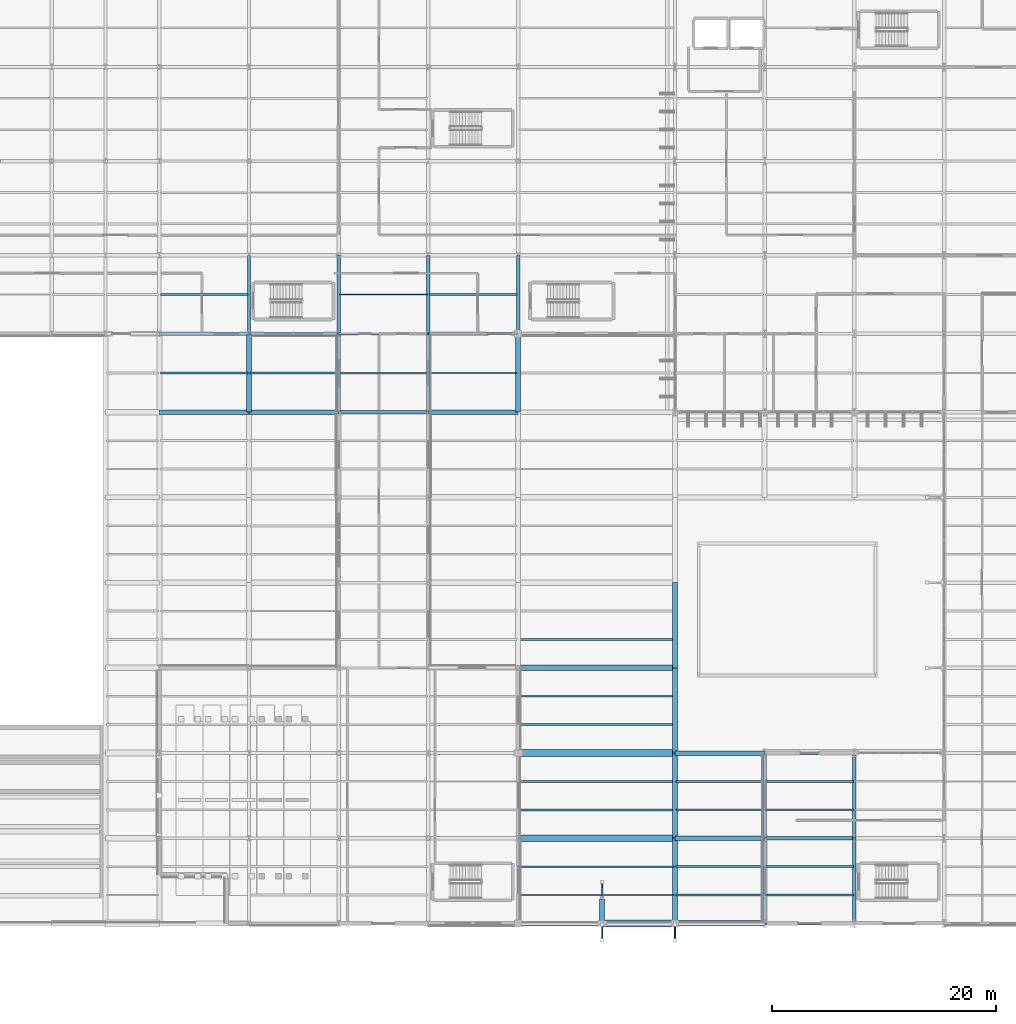
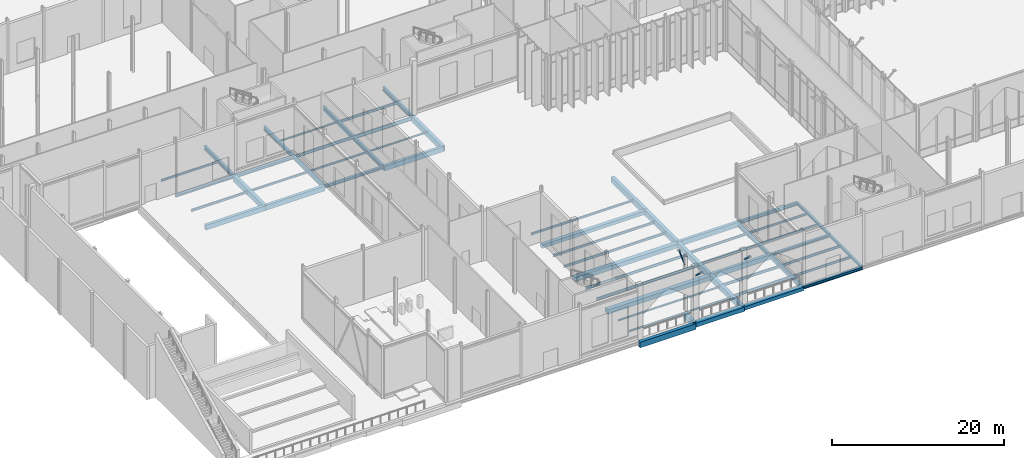
# One storey, part 29 of 176: 58 beams, 3 members.
"""IFC4 building model written with IfcOpenShell, lengths in metres."""

from ifc_helpers import new_model, si_unit, direction, frame, origin, origin_2d, place, context, subcontext, project, spatial, rectangle, hollow_rectangle, i_section, extrude, material, material_profile, profile_set, type_object, element, save


model = new_model("IFC4")

# Units and contexts
model_context = context("Model", 3, precision=1e-05, world=origin(), true_north=direction((0.0, 1.0)))
body_context = subcontext(model_context, "Body", "Model", "MODEL_VIEW")
ifc_project = project(units=[si_unit("LENGTHUNIT", "METRE"), si_unit("AREAUNIT", "SQUARE_METRE"), si_unit("VOLUMEUNIT", "CUBIC_METRE"), si_unit("PLANEANGLEUNIT", "RADIAN"), si_unit("MASSUNIT", "GRAM", prefix="KILO")], contexts=[model_context])

# Site, building, storey
site_placement = place(None, origin())
site = spatial("IfcSite", under=ifc_project, at=site_placement, CompositionType="ELEMENT")
building_placement = place(site_placement, origin())
building = spatial("IfcBuilding", under=site, at=building_placement, Name="Vekula Escarpment Museum", CompositionType="ELEMENT")
storey_placement = place(building_placement, origin())
storey = spatial("IfcBuildingStorey", under=building, at=storey_placement, Name="L01", CompositionType="ELEMENT", Elevation=0.0)

# Beams
ifc_material_1 = material(Name="Steel S355", Category="steel")
ifc_material_profile_1 = material_profile(ifc_material_1, i_section(OverallWidth=0.300048828125, OverallDepth=0.320068359375, WebThickness=0.011474609375, FlangeThickness=0.0205078125, FilletRadius=0.027099609375, at=origin_2d()), Name="HEB 320")
ifc_profile_set_1 = profile_set([ifc_material_profile_1], Name="Steel S355")
beam_type_1 = type_object("IfcBeamType", Name="BM-GIRD-HEB320", PredefinedType="BEAM", material=ifc_profile_set_1)
beam_1_placement = place(storey_placement, frame((24.0, 52.60009765625, -0.4599609375), z_axis=(1.0, 0.0, 0.0), x_axis=(0.0, 1.0, 0.0)))
element("IfcBeam", 1, at=beam_1_placement, inside=storey, type_object=beam_type_1, Name="Beam X L01 0141", PredefinedType="BEAM", context=body_context, shape_type="SweptSolid", body=[
    extrude(i_section(OverallWidth=0.300048828125, OverallDepth=0.320068359375, WebThickness=0.011474609375, FlangeThickness=0.0205078125, FilletRadius=0.027099609375, at=origin_2d()), origin(), (0.0, 0.0, 1.0), 8.0),
])
ifc_material_2 = material(Name="Steel S355", Category="steel")
ifc_material_profile_2 = material_profile(ifc_material_2, i_section(OverallWidth=0.300048828125, OverallDepth=0.360107421875, WebThickness=0.012451171875, FlangeThickness=0.0224609375, FilletRadius=0.027099609375, at=origin_2d()), Name="HEB 360")
ifc_profile_set_2 = profile_set([ifc_material_profile_2], Name="Steel S355")
beam_type_2 = type_object("IfcBeamType", Name="BM-GIRD-HEB360", PredefinedType="BEAM", material=ifc_profile_set_2)
beam_2_placement = place(storey_placement, frame((78.0, 7.60009765625, -0.47998046875), z_axis=(1.0, 0.0, 0.0), x_axis=(0.0, 1.0, 0.0)))
element("IfcBeam", 2, at=beam_2_placement, inside=storey, type_object=beam_type_2, Name="Beam X L01 0037", PredefinedType="BEAM", context=body_context, shape_type="SweptSolid", body=[
    extrude(i_section(OverallWidth=0.300048828125, OverallDepth=0.360107421875, WebThickness=0.012451171875, FlangeThickness=0.0224609375, FilletRadius=0.027099609375, at=origin_2d()), origin(), (0.0, 0.0, 1.0), 8.0),
])
ifc_material_3 = material(Name="Steel S355", Category="steel")
ifc_material_profile_3 = material_profile(ifc_material_3, i_section(OverallWidth=0.300048828125, OverallDepth=0.39990234375, WebThickness=0.013427734375, FlangeThickness=0.02392578125, FilletRadius=0.027099609375, at=origin_2d()), Name="HEB 400")
ifc_profile_set_3 = profile_set([ifc_material_profile_3], Name="Steel S355")
beam_type_3 = type_object("IfcBeamType", Name="BM-GIRD-HEB400", PredefinedType="BEAM", material=ifc_profile_set_3)
beam_3_placement = place(storey_placement, frame((32.0, 52.60009765625, -0.5), z_axis=(1.0, 0.0, 0.0), x_axis=(0.0, 1.0, 0.0)))
element("IfcBeam", 3, at=beam_3_placement, inside=storey, type_object=beam_type_3, Name="Beam X L01 0142", PredefinedType="BEAM", context=body_context, shape_type="SweptSolid", body=[
    extrude(i_section(OverallWidth=0.300048828125, OverallDepth=0.39990234375, WebThickness=0.013427734375, FlangeThickness=0.02392578125, FilletRadius=0.027099609375, at=origin_2d()), origin(), (0.0, 0.0, 1.0), 8.0),
])
ifc_material_4 = material(Name="Steel S355", Category="steel")
ifc_material_profile_4 = material_profile(ifc_material_4, i_section(OverallWidth=0.300048828125, OverallDepth=0.449951171875, WebThickness=0.013916015625, FlangeThickness=0.02587890625, FilletRadius=0.027099609375, at=origin_2d()), Name="HEB 450")
ifc_profile_set_4 = profile_set([ifc_material_profile_4], Name="Steel S355")
beam_type_4 = type_object("IfcBeamType", Name="BM-GIRD-HEB450", PredefinedType="BEAM", material=ifc_profile_set_4)
beam_4_placement = place(storey_placement, frame((78.0, 15.199951171875, -0.52490234375), z_axis=(1.0, 0.0, 0.0), x_axis=(0.0, 1.0, 0.0)))
element("IfcBeam", 4, at=beam_4_placement, inside=storey, type_object=beam_type_4, Name="Beam X L01 0056", PredefinedType="BEAM", context=body_context, shape_type="SweptSolid", body=[
    extrude(i_section(OverallWidth=0.300048828125, OverallDepth=0.449951171875, WebThickness=0.013916015625, FlangeThickness=0.02587890625, FilletRadius=0.027099609375, at=origin_2d()), origin(), (0.0, 0.0, 1.0), 8.0),
])
ifc_material_5 = material(Name="Steel S355", Category="steel")
ifc_material_profile_5 = material_profile(ifc_material_5, i_section(OverallWidth=0.300048828125, OverallDepth=0.550048828125, WebThickness=0.014892578125, FlangeThickness=0.029052734375, FilletRadius=0.027099609375, at=origin_2d()), Name="HEB 550")
ifc_profile_set_5 = profile_set([ifc_material_profile_5], Name="Steel S355")
beam_type_5 = type_object("IfcBeamType", Name="BM-GIRD-HEB550", PredefinedType="BEAM", material=ifc_profile_set_5)
for number, where, z_axis, x_axis, name in (
    (5, (32.0, 52.60009765625, -0.574951171875), (0.0, 1.0, 0.0), (-1.0, 0.0, 0.0), "Beam Y L01 0468"),
    (6, (40.0, 45.60009765625, -0.574951171875), (0.0, 1.0, 0.0), (-1.0, 0.0, 0.0), "Beam Y L01 0485"),
    (7, (40.0, 52.60009765625, -0.574951171875), (0.0, 1.0, 0.0), (-1.0, 0.0, 0.0), "Beam Y L01 0486"),
    (8, (48.0, 45.60009765625, -0.574951171875), (0.0, 1.0, 0.0), (-1.0, 0.0, 0.0), "Beam Y L01 0503"),
    (9, (48.0, 52.60009765625, -0.574951171875), (0.0, 1.0, 0.0), (-1.0, 0.0, 0.0), "Beam Y L01 0504"),
    (10, (56.0, 52.60009765625, -0.574951171875), (0.0, 1.0, 0.0), (-1.0, 0.0, 0.0), "Beam Y L01 0522"),
):
    element("IfcBeam", number, at=place(storey_placement, frame(where, z_axis=z_axis, x_axis=x_axis)), inside=storey, type_object=beam_type_5, Name=name, PredefinedType="BEAM", context=body_context, shape_type="SweptSolid", body=[
        extrude(i_section(OverallWidth=0.300048828125, OverallDepth=0.550048828125, WebThickness=0.014892578125, FlangeThickness=0.029052734375, FilletRadius=0.027099609375, at=origin_2d()), origin(), (0.0, 0.0, 1.0), 7.0),
    ])
beam_5_placement = place(storey_placement, frame((78.0, 0.0, -0.574951171875), z_axis=(0.0, 1.0, 0.0), x_axis=(-1.0, 0.0, 0.0)))
element("IfcBeam", 11, at=beam_5_placement, inside=storey, type_object=beam_type_5, Name="Beam Y L01 0552", PredefinedType="BEAM", context=body_context, shape_type="SweptSolid", body=[
    extrude(i_section(OverallWidth=0.300048828125, OverallDepth=0.550048828125, WebThickness=0.014892578125, FlangeThickness=0.029052734375, FilletRadius=0.027099609375, at=origin_2d()), origin(), (0.0, 0.0, 1.0), 7.60009765625),
])
beam_6_placement = place(storey_placement, frame((78.0, 7.60009765625, -0.574951171875), z_axis=(0.0, 1.0, 0.0), x_axis=(-1.0, 0.0, 0.0)))
element("IfcBeam", 12, at=beam_6_placement, inside=storey, type_object=beam_type_5, Name="Beam Y L01 0553", PredefinedType="BEAM", context=body_context, shape_type="SweptSolid", body=[
    extrude(i_section(OverallWidth=0.300048828125, OverallDepth=0.550048828125, WebThickness=0.014892578125, FlangeThickness=0.029052734375, FilletRadius=0.027099609375, at=origin_2d()), origin(), (0.0, 0.0, 1.0), 7.599853515625),
])
ifc_material_6 = material(Name="Steel S355", Category="steel")
ifc_material_profile_6 = material_profile(ifc_material_6, i_section(OverallWidth=0.179931640625, OverallDepth=0.39990234375, WebThickness=0.008544921875, FlangeThickness=0.013427734375, FilletRadius=0.02099609375, at=origin_2d()), Name="IPE 400")
ifc_profile_set_6 = profile_set([ifc_material_profile_6], Name="Steel S355")
beam_type_6 = type_object("IfcBeamType", Name="BM-GIRD-IPE400", PredefinedType="BEAM", material=ifc_profile_set_6)
beam_7_placement = place(storey_placement, frame((40.0, 52.60009765625, -0.5), z_axis=(1.0, 0.0, 0.0), x_axis=(0.0, 1.0, 0.0)))
element("IfcBeam", 13, at=beam_7_placement, inside=storey, type_object=beam_type_6, Name="Beam X L01 0143", PredefinedType="BEAM", context=body_context, shape_type="SweptSolid", body=[
    extrude(i_section(OverallWidth=0.179931640625, OverallDepth=0.39990234375, WebThickness=0.008544921875, FlangeThickness=0.013427734375, FilletRadius=0.02099609375, at=origin_2d()), origin(), (0.0, 0.0, 1.0), 8.0),
])
ifc_material_7 = material(Name="Steel S355", Category="steel")
ifc_material_profile_7 = material_profile(ifc_material_7, i_section(OverallWidth=0.199951171875, OverallDepth=0.5, WebThickness=0.01025390625, FlangeThickness=0.01611328125, FilletRadius=0.02099609375, at=origin_2d()), Name="IPE 500")
ifc_profile_set_7 = profile_set([ifc_material_profile_7], Name="Steel S355")
beam_type_7 = type_object("IfcBeamType", Name="BM-GIRD-IPE500", PredefinedType="BEAM", material=ifc_profile_set_7)
beam_8_placement = place(storey_placement, frame((48.0, 52.60009765625, -0.550048828125), z_axis=(1.0, 0.0, 0.0), x_axis=(0.0, 1.0, 0.0)))
element("IfcBeam", 14, at=beam_8_placement, inside=storey, type_object=beam_type_7, Name="Beam X L01 0144", PredefinedType="BEAM", context=body_context, shape_type="SweptSolid", body=[
    extrude(i_section(OverallWidth=0.199951171875, OverallDepth=0.5, WebThickness=0.01025390625, FlangeThickness=0.01611328125, FilletRadius=0.02099609375, at=origin_2d()), origin(), (0.0, 0.0, 1.0), 8.0),
])
ifc_material_8 = material(Name="Steel S355", Category="steel")
ifc_material_profile_8 = material_profile(ifc_material_8, i_section(OverallWidth=0.1201171875, OverallDepth=0.239990234375, WebThickness=0.006103515625, FlangeThickness=0.009765625, FilletRadius=0.014892578125, at=origin_2d()), Name="IPE 240")
ifc_profile_set_8 = profile_set([ifc_material_profile_8], Name="Steel S355")
beam_type_8 = type_object("IfcBeamType", Name="BM-JST-IPE240", PredefinedType="JOIST", material=ifc_profile_set_8)
for number, where, z_axis, x_axis, name in (
    (15, (40.090087890625, 56.10009765625, -0.419921875), (1.0, 0.0, 0.0), (0.0, 1.0, 0.0), "Secondary Joist L01 0156"),
    (16, (48.090087890625, 49.10009765625, -0.419921875), (1.0, 0.0, 0.0), (0.0, 1.0, 0.0), "Secondary Joist L01 0185"),
):
    element("IfcBeam", number, at=place(storey_placement, frame(where, z_axis=z_axis, x_axis=x_axis)), inside=storey, type_object=beam_type_8, Name=name, PredefinedType="JOIST", context=body_context, shape_type="SweptSolid", body=[
        extrude(i_section(OverallWidth=0.1201171875, OverallDepth=0.239990234375, WebThickness=0.006103515625, FlangeThickness=0.009765625, FilletRadius=0.014892578125, at=origin_2d()), origin(), (0.0, 0.0, 1.0), 7.81982421875),
    ])
for number, where, z_axis, x_axis, name in (
    (17, (56.090087890625, 2.533203125, -0.570068359375), (1.0, 0.0, 0.0), (0.0, 1.0, 0.0), "Secondary Joist L01 0201"),
    (18, (56.090087890625, 5.066650390625, -0.570068359375), (1.0, 0.0, 0.0), (0.0, 1.0, 0.0), "Secondary Joist L01 0202"),
):
    element("IfcBeam", number, at=place(storey_placement, frame(where, z_axis=z_axis, x_axis=x_axis)), inside=storey, type_object=beam_type_8, Name=name, PredefinedType="JOIST", context=body_context, shape_type="SweptSolid", body=[
        extrude(i_section(OverallWidth=0.1201171875, OverallDepth=0.239990234375, WebThickness=0.006103515625, FlangeThickness=0.009765625, FilletRadius=0.014892578125, at=origin_2d()), origin(), (0.0, 0.0, 1.0), 13.81982421875),
    ])
ifc_material_9 = material(Name="Steel S355", Category="steel")
ifc_material_profile_9 = material_profile(ifc_material_9, i_section(OverallWidth=0.135009765625, OverallDepth=0.27001953125, WebThickness=0.006591796875, FlangeThickness=0.01025390625, FilletRadius=0.014892578125, at=origin_2d()), Name="IPE 270")
ifc_profile_set_9 = profile_set([ifc_material_profile_9], Name="Steel S355")
beam_type_9 = type_object("IfcBeamType", Name="BM-JST-IPE270", PredefinedType="JOIST", material=ifc_profile_set_9)
beam_9_placement = place(storey_placement, frame((40.090087890625, 49.10009765625, -0.43505859375), z_axis=(1.0, 0.0, 0.0), x_axis=(0.0, 1.0, 0.0)))
element("IfcBeam", 19, at=beam_9_placement, inside=storey, type_object=beam_type_9, Name="Secondary Joist L01 0155", PredefinedType="JOIST", context=body_context, shape_type="SweptSolid", body=[
    extrude(i_section(OverallWidth=0.135009765625, OverallDepth=0.27001953125, WebThickness=0.006591796875, FlangeThickness=0.01025390625, FilletRadius=0.014892578125, at=origin_2d()), origin(), (0.0, 0.0, 1.0), 7.81982421875),
])
ifc_material_10 = material(Name="Steel S355", Category="steel")
ifc_material_profile_10 = material_profile(ifc_material_10, i_section(OverallWidth=0.14990234375, OverallDepth=0.300048828125, WebThickness=0.007080078125, FlangeThickness=0.0107421875, FilletRadius=0.014892578125, at=origin_2d()), Name="IPE 300")
ifc_profile_set_10 = profile_set([ifc_material_profile_10], Name="Steel S355")
beam_type_10 = type_object("IfcBeamType", Name="BM-JST-IPE300", PredefinedType="JOIST", material=ifc_profile_set_10)
for number, where, z_axis, x_axis, name in (
    (20, (24.090087890625, 56.10009765625, -0.449951171875), (1.0, 0.0, 0.0), (0.0, 1.0, 0.0), "Secondary Joist L01 0095"),
    (21, (32.090087890625, 49.10009765625, -0.449951171875), (1.0, 0.0, 0.0), (0.0, 1.0, 0.0), "Secondary Joist L01 0126"),
):
    element("IfcBeam", number, at=place(storey_placement, frame(where, z_axis=z_axis, x_axis=x_axis)), inside=storey, type_object=beam_type_10, Name=name, PredefinedType="JOIST", context=body_context, shape_type="SweptSolid", body=[
        extrude(i_section(OverallWidth=0.14990234375, OverallDepth=0.300048828125, WebThickness=0.007080078125, FlangeThickness=0.0107421875, FilletRadius=0.014892578125, at=origin_2d()), origin(), (0.0, 0.0, 1.0), 7.81982421875),
    ])
beam_10_placement = place(storey_placement, frame((56.090087890625, 25.333251953125, -0.60009765625), z_axis=(1.0, 0.0, 0.0), x_axis=(0.0, 1.0, 0.0)))
element("IfcBeam", 22, at=beam_10_placement, inside=storey, type_object=beam_type_10, Name="Secondary Joist L01 0207", PredefinedType="JOIST", context=body_context, shape_type="SweptSolid", body=[
    extrude(i_section(OverallWidth=0.14990234375, OverallDepth=0.300048828125, WebThickness=0.007080078125, FlangeThickness=0.0107421875, FilletRadius=0.014892578125, at=origin_2d()), origin(), (0.0, 0.0, 1.0), 13.81982421875),
])
for number, where, z_axis, x_axis, name in (
    (23, (78.090087890625, 10.13330078125, -0.449951171875), (1.0, 0.0, 0.0), (0.0, 1.0, 0.0), "Secondary Joist L01 0253"),
    (24, (78.090087890625, 12.666748046875, -0.449951171875), (1.0, 0.0, 0.0), (0.0, 1.0, 0.0), "Secondary Joist L01 0254"),
):
    element("IfcBeam", number, at=place(storey_placement, frame(where, z_axis=z_axis, x_axis=x_axis)), inside=storey, type_object=beam_type_10, Name=name, PredefinedType="JOIST", context=body_context, shape_type="SweptSolid", body=[
        extrude(i_section(OverallWidth=0.14990234375, OverallDepth=0.300048828125, WebThickness=0.007080078125, FlangeThickness=0.0107421875, FilletRadius=0.014892578125, at=origin_2d()), origin(), (0.0, 0.0, 1.0), 7.81982421875),
    ])
ifc_material_11 = material(Name="Steel S355", Category="steel")
ifc_material_profile_11 = material_profile(ifc_material_11, i_section(OverallWidth=0.159912109375, OverallDepth=0.330078125, WebThickness=0.007568359375, FlangeThickness=0.011474609375, FilletRadius=0.01806640625, at=origin_2d()), Name="IPE 330")
ifc_profile_set_11 = profile_set([ifc_material_profile_11], Name="Steel S355")
beam_type_11 = type_object("IfcBeamType", Name="BM-JST-IPE330", PredefinedType="JOIST", material=ifc_profile_set_11)
beam_11_placement = place(storey_placement, frame((24.090087890625, 49.10009765625, -0.465087890625), z_axis=(1.0, 0.0, 0.0), x_axis=(0.0, 1.0, 0.0)))
element("IfcBeam", 25, at=beam_11_placement, inside=storey, type_object=beam_type_11, Name="Secondary Joist L01 0094", PredefinedType="JOIST", context=body_context, shape_type="SweptSolid", body=[
    extrude(i_section(OverallWidth=0.159912109375, OverallDepth=0.330078125, WebThickness=0.007568359375, FlangeThickness=0.011474609375, FilletRadius=0.01806640625, at=origin_2d()), origin(), (0.0, 0.0, 1.0), 7.81982421875),
])
for number, where, z_axis, x_axis, name in (
    (26, (56.090087890625, 17.7333984375, -0.614990234375), (1.0, 0.0, 0.0), (0.0, 1.0, 0.0), "Secondary Joist L01 0205"),
    (27, (56.090087890625, 20.2666015625, -0.614990234375), (1.0, 0.0, 0.0), (0.0, 1.0, 0.0), "Secondary Joist L01 0206"),
):
    element("IfcBeam", number, at=place(storey_placement, frame(where, z_axis=z_axis, x_axis=x_axis)), inside=storey, type_object=beam_type_11, Name=name, PredefinedType="JOIST", context=body_context, shape_type="SweptSolid", body=[
        extrude(i_section(OverallWidth=0.159912109375, OverallDepth=0.330078125, WebThickness=0.007568359375, FlangeThickness=0.011474609375, FilletRadius=0.01806640625, at=origin_2d()), origin(), (0.0, 0.0, 1.0), 13.81982421875),
    ])
for number, where, z_axis, x_axis, name in (
    (28, (70.090087890625, 10.13330078125, -0.465087890625), (1.0, 0.0, 0.0), (0.0, 1.0, 0.0), "Secondary Joist L01 0234"),
    (29, (70.090087890625, 12.666748046875, -0.465087890625), (1.0, 0.0, 0.0), (0.0, 1.0, 0.0), "Secondary Joist L01 0235"),
    (30, (78.090087890625, 2.533203125, -0.465087890625), (1.0, 0.0, 0.0), (0.0, 1.0, 0.0), "Secondary Joist L01 0251"),
    (31, (78.090087890625, 5.066650390625, -0.465087890625), (1.0, 0.0, 0.0), (0.0, 1.0, 0.0), "Secondary Joist L01 0252"),
):
    element("IfcBeam", number, at=place(storey_placement, frame(where, z_axis=z_axis, x_axis=x_axis)), inside=storey, type_object=beam_type_11, Name=name, PredefinedType="JOIST", context=body_context, shape_type="SweptSolid", body=[
        extrude(i_section(OverallWidth=0.159912109375, OverallDepth=0.330078125, WebThickness=0.007568359375, FlangeThickness=0.011474609375, FilletRadius=0.01806640625, at=origin_2d()), origin(), (0.0, 0.0, 1.0), 7.81982421875),
    ])
ifc_material_12 = material(Name="Steel S355", Category="steel")
ifc_material_profile_12 = material_profile(ifc_material_12, i_section(OverallWidth=0.169921875, OverallDepth=0.360107421875, WebThickness=0.008056640625, FlangeThickness=0.0126953125, FilletRadius=0.01806640625, at=origin_2d()), Name="IPE 360")
ifc_profile_set_12 = profile_set([ifc_material_profile_12], Name="Steel S355")
beam_type_12 = type_object("IfcBeamType", Name="BM-JST-IPE360", PredefinedType="JOIST", material=ifc_profile_set_12)
beam_12_placement = place(storey_placement, frame((48.090087890625, 56.10009765625, -0.47998046875), z_axis=(1.0, 0.0, 0.0), x_axis=(0.0, 1.0, 0.0)))
element("IfcBeam", 32, at=beam_12_placement, inside=storey, type_object=beam_type_12, Name="Secondary Joist L01 0186", PredefinedType="JOIST", context=body_context, shape_type="SweptSolid", body=[
    extrude(i_section(OverallWidth=0.169921875, OverallDepth=0.360107421875, WebThickness=0.008056640625, FlangeThickness=0.0126953125, FilletRadius=0.01806640625, at=origin_2d()), origin(), (0.0, 0.0, 1.0), 7.81982421875),
])
for number, where, z_axis, x_axis, name in (
    (33, (56.090087890625, 10.13330078125, -0.6298828125), (1.0, 0.0, 0.0), (0.0, 1.0, 0.0), "Secondary Joist L01 0203"),
    (34, (56.090087890625, 12.666748046875, -0.6298828125), (1.0, 0.0, 0.0), (0.0, 1.0, 0.0), "Secondary Joist L01 0204"),
):
    element("IfcBeam", number, at=place(storey_placement, frame(where, z_axis=z_axis, x_axis=x_axis)), inside=storey, type_object=beam_type_12, Name=name, PredefinedType="JOIST", context=body_context, shape_type="SweptSolid", body=[
        extrude(i_section(OverallWidth=0.169921875, OverallDepth=0.360107421875, WebThickness=0.008056640625, FlangeThickness=0.0126953125, FilletRadius=0.01806640625, at=origin_2d()), origin(), (0.0, 0.0, 1.0), 13.81982421875),
    ])
for number, where, z_axis, x_axis, name in (
    (35, (70.090087890625, 2.533203125, -0.47998046875), (1.0, 0.0, 0.0), (0.0, 1.0, 0.0), "Secondary Joist L01 0232"),
    (36, (70.090087890625, 5.066650390625, -0.47998046875), (1.0, 0.0, 0.0), (0.0, 1.0, 0.0), "Secondary Joist L01 0233"),
):
    element("IfcBeam", number, at=place(storey_placement, frame(where, z_axis=z_axis, x_axis=x_axis)), inside=storey, type_object=beam_type_12, Name=name, PredefinedType="JOIST", context=body_context, shape_type="SweptSolid", body=[
        extrude(i_section(OverallWidth=0.169921875, OverallDepth=0.360107421875, WebThickness=0.008056640625, FlangeThickness=0.0126953125, FilletRadius=0.01806640625, at=origin_2d()), origin(), (0.0, 0.0, 1.0), 7.81982421875),
    ])
ifc_material_13 = material(Name="Concrete C35/45", Category="concrete")
ifc_material_profile_13 = material_profile(ifc_material_13, rectangle(XDim=0.449951171875, YDim=0.800048828125, at=origin_2d()), Name="RC 450x800")
ifc_profile_set_13 = profile_set([ifc_material_profile_13], Name="Concrete C35/45")
beam_type_13 = type_object("IfcBeamType", Name="BM-PLINTH-RC", PredefinedType="BEAM", material=ifc_profile_set_13)
beam_13_placement = place(storey_placement, frame((56.0, 0.0, -0.85009765625), z_axis=(1.0, 0.0, 0.0), x_axis=(0.0, 1.0, 0.0)))
element("IfcBeam", 37, at=beam_13_placement, inside=storey, type_object=beam_type_13, Name="Beam X L01 0015", PredefinedType="BEAM", context=body_context, shape_type="SweptSolid", body=[
    extrude(rectangle(XDim=0.449951171875, YDim=0.800048828125, at=origin_2d()), origin(), (0.0, 0.0, 1.0), 7.5),
])
for number, where, z_axis, x_axis, name in (
    (38, (32.0, 45.60009765625, -0.699951171875), (0.0, 1.0, 0.0), (-1.0, 0.0, 0.0), "Beam Y L01 0467"),
    (39, (56.0, 45.60009765625, -0.699951171875), (0.0, 1.0, 0.0), (-1.0, 0.0, 0.0), "Beam Y L01 0521"),
):
    element("IfcBeam", number, at=place(storey_placement, frame(where, z_axis=z_axis, x_axis=x_axis)), inside=storey, type_object=beam_type_13, Name=name, PredefinedType="BEAM", context=body_context, shape_type="SweptSolid", body=[
        extrude(rectangle(XDim=0.449951171875, YDim=0.800048828125, at=origin_2d()), origin(), (0.0, 0.0, 1.0), 7.0),
    ])
beam_14_placement = place(storey_placement, frame((63.5, 0.0, -0.699951171875), z_axis=(0.0, 1.0, 0.0), x_axis=(-1.0, 0.0, 0.0)))
element("IfcBeam", 40, at=beam_14_placement, inside=storey, type_object=beam_type_13, Name="Beam Y L01 0533", PredefinedType="BEAM", context=body_context, shape_type="SweptSolid", body=[
    extrude(rectangle(XDim=0.449951171875, YDim=0.800048828125, at=origin_2d()), origin(), (0.0, 0.0, 1.0), 2.199951171875),
])
beam_15_placement = place(storey_placement, frame((70.0, 0.0, -0.699951171875), z_axis=(0.0, 1.0, 0.0), x_axis=(-1.0, 0.0, 0.0)))
element("IfcBeam", 41, at=beam_15_placement, inside=storey, type_object=beam_type_13, Name="Beam Y L01 0534", PredefinedType="BEAM", context=body_context, shape_type="SweptSolid", body=[
    extrude(rectangle(XDim=0.449951171875, YDim=0.800048828125, at=origin_2d()), origin(), (0.0, 0.0, 1.0), 7.60009765625),
])
beam_16_placement = place(storey_placement, frame((70.0, 7.60009765625, -0.699951171875), z_axis=(0.0, 1.0, 0.0), x_axis=(-1.0, 0.0, 0.0)))
element("IfcBeam", 42, at=beam_16_placement, inside=storey, type_object=beam_type_13, Name="Beam Y L01 0535", PredefinedType="BEAM", context=body_context, shape_type="SweptSolid", body=[
    extrude(rectangle(XDim=0.449951171875, YDim=0.800048828125, at=origin_2d()), origin(), (0.0, 0.0, 1.0), 7.599853515625),
])
beam_17_placement = place(storey_placement, frame((70.0, 15.199951171875, -0.699951171875), z_axis=(0.0, 1.0, 0.0), x_axis=(-1.0, 0.0, 0.0)))
element("IfcBeam", 43, at=beam_17_placement, inside=storey, type_object=beam_type_13, Name="Beam Y L01 0536", PredefinedType="BEAM", context=body_context, shape_type="SweptSolid", body=[
    extrude(rectangle(XDim=0.449951171875, YDim=0.800048828125, at=origin_2d()), origin(), (0.0, 0.0, 1.0), 7.60009765625),
])
beam_18_placement = place(storey_placement, frame((70.0, 22.800048828125, -0.699951171875), z_axis=(0.0, 1.0, 0.0), x_axis=(-1.0, 0.0, 0.0)))
element("IfcBeam", 44, at=beam_18_placement, inside=storey, type_object=beam_type_13, Name="Beam Y L01 0537", PredefinedType="BEAM", context=body_context, shape_type="SweptSolid", body=[
    extrude(rectangle(XDim=0.449951171875, YDim=0.800048828125, at=origin_2d()), origin(), (0.0, 0.0, 1.0), 7.599853515625),
])
ifc_material_14 = material(Name="Concrete C35/45", Category="concrete")
ifc_material_profile_14 = material_profile(ifc_material_14, rectangle(XDim=0.39990234375, YDim=0.699951171875, at=origin_2d()), Name="RC 400x700")
ifc_profile_set_14 = profile_set([ifc_material_profile_14], Name="Concrete C35/45")
beam_type_14 = type_object("IfcBeamType", Name="BM-PLINTH-RC2", PredefinedType="BEAM", material=ifc_profile_set_14)
for number, where, z_axis, x_axis, name in (
    (45, (70.0, 7.60009765625, -0.64990234375), (1.0, 0.0, 0.0), (0.0, 1.0, 0.0), "Beam X L01 0036"),
    (46, (70.0, 15.199951171875, -0.64990234375), (1.0, 0.0, 0.0), (0.0, 1.0, 0.0), "Beam X L01 0055"),
    (47, (24.0, 45.60009765625, -0.64990234375), (1.0, 0.0, 0.0), (0.0, 1.0, 0.0), "Beam X L01 0120"),
    (48, (32.0, 45.60009765625, -0.64990234375), (1.0, 0.0, 0.0), (0.0, 1.0, 0.0), "Beam X L01 0121"),
    (49, (48.0, 45.60009765625, -0.64990234375), (1.0, 0.0, 0.0), (0.0, 1.0, 0.0), "Beam X L01 0123"),
):
    element("IfcBeam", number, at=place(storey_placement, frame(where, z_axis=z_axis, x_axis=x_axis)), inside=storey, type_object=beam_type_14, Name=name, PredefinedType="BEAM", context=body_context, shape_type="SweptSolid", body=[
        extrude(rectangle(XDim=0.39990234375, YDim=0.699951171875, at=origin_2d()), origin(), (0.0, 0.0, 1.0), 8.0),
    ])
ifc_material_15 = material(Name="Concrete C35/45", Category="concrete")
ifc_material_profile_15 = material_profile(ifc_material_15, rectangle(XDim=0.5, YDim=0.5, at=origin_2d()), Name="RC 500x500")
ifc_profile_set_15 = profile_set([ifc_material_profile_15], Name="Concrete C35/45")
beam_type_15 = type_object("IfcBeamType", Name="BM-PLINTH-RC3", PredefinedType="BEAM", material=ifc_profile_set_15)
beam_19_placement = place(storey_placement, frame((70.0, 0.0, -0.550048828125), z_axis=(1.0, 0.0, 0.0), x_axis=(0.0, 1.0, 0.0)))
element("IfcBeam", 50, at=beam_19_placement, inside=storey, type_object=beam_type_15, Name="Beam X L01 0017", PredefinedType="BEAM", context=body_context, shape_type="SweptSolid", body=[
    extrude(rectangle(XDim=0.5, YDim=0.5, at=origin_2d()), origin(), (0.0, 0.0, 1.0), 8.0),
])
beam_20_placement = place(storey_placement, frame((56.0, 22.800048828125, -0.699951171875), z_axis=(1.0, 0.0, 0.0), x_axis=(0.0, 1.0, 0.0)))
element("IfcBeam", 51, at=beam_20_placement, inside=storey, type_object=beam_type_15, Name="Beam X L01 0073", PredefinedType="BEAM", context=body_context, shape_type="SweptSolid", body=[
    extrude(rectangle(XDim=0.5, YDim=0.5, at=origin_2d()), origin(), (0.0, 0.0, 1.0), 14.0),
])
ifc_material_16 = material(Name="Concrete C35/45", Category="concrete")
ifc_material_profile_16 = material_profile(ifc_material_16, rectangle(XDim=0.60009765625, YDim=0.60009765625, at=origin_2d()), Name="RC 600x600")
ifc_profile_set_16 = profile_set([ifc_material_profile_16], Name="Concrete C35/45")
beam_type_16 = type_object("IfcBeamType", Name="BM-PLINTH-RC4", PredefinedType="BEAM", material=ifc_profile_set_16)
beam_21_placement = place(storey_placement, frame((63.5, 0.0, -0.60009765625), z_axis=(1.0, 0.0, 0.0), x_axis=(0.0, 1.0, 0.0)))
element("IfcBeam", 52, at=beam_21_placement, inside=storey, type_object=beam_type_16, Name="Beam X L01 0016", PredefinedType="BEAM", context=body_context, shape_type="SweptSolid", body=[
    extrude(rectangle(XDim=0.60009765625, YDim=0.60009765625, at=origin_2d()), origin(), (0.0, 0.0, 1.0), 6.5),
])
for number, where, z_axis, x_axis, name in (
    (53, (56.0, 7.60009765625, -0.75), (1.0, 0.0, 0.0), (0.0, 1.0, 0.0), "Beam X L01 0035"),
    (54, (56.0, 15.199951171875, -0.75), (1.0, 0.0, 0.0), (0.0, 1.0, 0.0), "Beam X L01 0054"),
):
    element("IfcBeam", number, at=place(storey_placement, frame(where, z_axis=z_axis, x_axis=x_axis)), inside=storey, type_object=beam_type_16, Name=name, PredefinedType="BEAM", context=body_context, shape_type="SweptSolid", body=[
        extrude(rectangle(XDim=0.60009765625, YDim=0.60009765625, at=origin_2d()), origin(), (0.0, 0.0, 1.0), 14.0),
    ])
ifc_material_17 = material(Name="Steel S355", Category="steel")
ifc_material_profile_17 = material_profile(ifc_material_17, i_section(OverallWidth=0.300048828125, OverallDepth=0.2900390625, WebThickness=0.008544921875, FlangeThickness=0.013916015625, FilletRadius=0.027099609375, at=origin_2d()), Name="HEA 300")
ifc_profile_set_17 = profile_set([ifc_material_profile_17], Name="Steel S355")
beam_type_17 = type_object("IfcBeamType", Name="BM-SPAN-HEA300", PredefinedType="SPANDREL", material=ifc_profile_set_17)
beam_22_placement = place(storey_placement, frame((86.0, 0.0, -0.445068359375), z_axis=(0.0, 1.0, 0.0), x_axis=(-1.0, 0.0, 0.0)))
element("IfcBeam", 55, at=beam_22_placement, inside=storey, type_object=beam_type_17, Name="Beam Y L01 0564", PredefinedType="SPANDREL", context=body_context, shape_type="SweptSolid", body=[
    extrude(i_section(OverallWidth=0.300048828125, OverallDepth=0.2900390625, WebThickness=0.008544921875, FlangeThickness=0.013916015625, FilletRadius=0.027099609375, at=origin_2d()), origin(), (0.0, 0.0, 1.0), 7.60009765625),
])
beam_23_placement = place(storey_placement, frame((86.0, 7.60009765625, -0.445068359375), z_axis=(0.0, 1.0, 0.0), x_axis=(-1.0, 0.0, 0.0)))
element("IfcBeam", 56, at=beam_23_placement, inside=storey, type_object=beam_type_17, Name="Beam Y L01 0565", PredefinedType="SPANDREL", context=body_context, shape_type="SweptSolid", body=[
    extrude(i_section(OverallWidth=0.300048828125, OverallDepth=0.2900390625, WebThickness=0.008544921875, FlangeThickness=0.013916015625, FilletRadius=0.027099609375, at=origin_2d()), origin(), (0.0, 0.0, 1.0), 7.599853515625),
])
ifc_material_18 = material(Name="Steel S355", Category="steel")
ifc_material_profile_18 = material_profile(ifc_material_18, i_section(OverallWidth=0.300048828125, OverallDepth=0.389892578125, WebThickness=0.010986328125, FlangeThickness=0.01904296875, FilletRadius=0.027099609375, at=origin_2d()), Name="HEA 400")
ifc_profile_set_18 = profile_set([ifc_material_profile_18], Name="Steel S355")
beam_type_18 = type_object("IfcBeamType", Name="BM-SPAN-HEA400", PredefinedType="SPANDREL", material=ifc_profile_set_18)
for number, where, z_axis, x_axis, name in (
    (57, (78.0, 0.0, -0.4951171875), (1.0, 0.0, 0.0), (0.0, 1.0, 0.0), "Beam X L01 0018"),
    (58, (40.0, 45.60009765625, -0.4951171875), (1.0, 0.0, 0.0), (0.0, 1.0, 0.0), "Beam X L01 0122"),
):
    element("IfcBeam", number, at=place(storey_placement, frame(where, z_axis=z_axis, x_axis=x_axis)), inside=storey, type_object=beam_type_18, Name=name, PredefinedType="SPANDREL", context=body_context, shape_type="SweptSolid", body=[
        extrude(i_section(OverallWidth=0.300048828125, OverallDepth=0.389892578125, WebThickness=0.010986328125, FlangeThickness=0.01904296875, FilletRadius=0.027099609375, at=origin_2d()), origin(), (0.0, 0.0, 1.0), 8.0),
    ])

# Members
ifc_material_19 = material(Name="Steel S355", Category="steel")
ifc_material_profile_19 = material_profile(ifc_material_19, hollow_rectangle(XDim=0.10009765625, YDim=0.199951171875, WallThickness=0.008056640625, InnerFilletRadius=0.008056640625, OuterFilletRadius=0.01611328125, at=origin_2d()), Name="RHS 200x100x8")
ifc_profile_set_19 = profile_set([ifc_material_profile_19], Name="Steel S355")
member_type = type_object("IfcMemberType", Name="MB-SACAK-BRK", PredefinedType="STRUT", material=ifc_profile_set_19)
for number, where, z_axis, x_axis, name in (
    (59, (63.5, -0.1201171875, 6.35009765625), (0.0, -0.738454378718, 0.674303441006), (1.0, 0.0, 0.0), "Ottoman Sacak Eave Bracket L02-0010"),
    (60, (63.5, 2.320068359375, 6.35009765625), (0.0, 0.738454378718, 0.674303441006), (-1.0, 0.0, 0.0), "Ottoman Sacak Eave Bracket L02-0011"),
    (61, (70.0, -0.1201171875, 6.35009765625), (0.0, -0.738454378718, 0.674303441006), (1.0, 0.0, 0.0), "Ottoman Sacak Eave Bracket L02-0012"),
):
    element("IfcMember", number, at=place(storey_placement, frame(where, z_axis=z_axis, x_axis=x_axis)), inside=storey, type_object=member_type, Name=name, PredefinedType="STRUT", context=body_context, shape_type="SweptSolid", body=[
        extrude(hollow_rectangle(XDim=0.10009765625, YDim=0.199951171875, WallThickness=0.008056640625, InnerFilletRadius=0.008056640625, OuterFilletRadius=0.01611328125, at=origin_2d()), origin(), (0.0, 0.0, 1.0), 1.86865234375),
    ])

save(model, "model.ifc")
